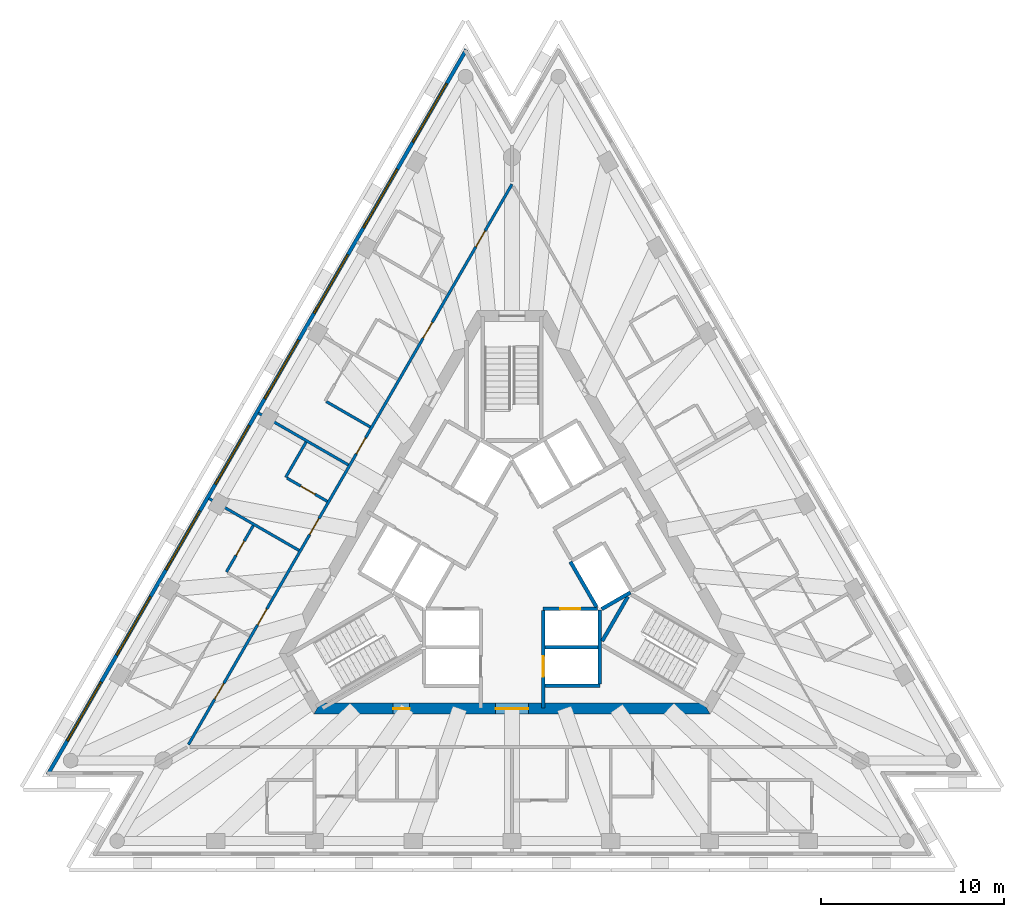
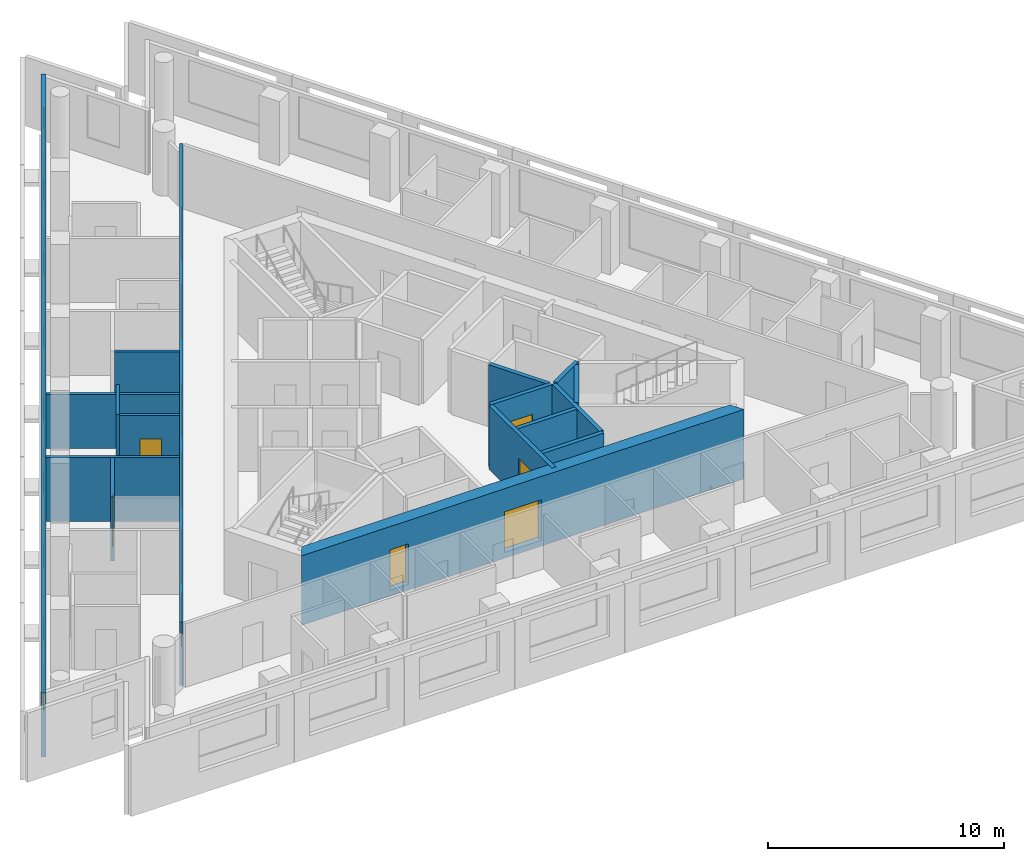
# One storey, part 4 of 10: 17 walls, 12 doors, 8 windows, 20 openings.
"""IFC4 building model written with IfcOpenShell, lengths in metres."""

from ifc_helpers import new_model, si_unit, direction, frame, frame_2d, origin, place, context, subcontext, project, spatial, polyline, rectangle, outline, extrude, material, layer, layer_set, layer_usage, type_object, element, fill, save


model = new_model("IFC4")

# Units and contexts
model_context = context("Model", 3, precision=1e-05, world=origin(), true_north=direction((0.0, 1.0)))
body_context = subcontext(model_context, "Body", "Model", "MODEL_VIEW")
ifc_project = project(units=[si_unit("LENGTHUNIT", "METRE"), si_unit("AREAUNIT", "SQUARE_METRE"), si_unit("VOLUMEUNIT", "CUBIC_METRE"), si_unit("PLANEANGLEUNIT", "RADIAN"), si_unit("MASSUNIT", "GRAM", prefix="KILO")], contexts=[model_context])

# Site, building, storey
site_placement = place(None, origin())
site = spatial("IfcSite", under=ifc_project, at=site_placement, CompositionType="ELEMENT")
building_placement = place(site_placement, origin())
building = spatial("IfcBuilding", under=site, at=building_placement, Name="Triada Interchange Tower", CompositionType="ELEMENT")
storey_placement = place(building_placement, frame((0.0, 0.0, 297.10009765625)))
storey = spatial("IfcBuildingStorey", under=building, at=storey_placement, Name="L70", CompositionType="ELEMENT", Elevation=297.10009765625)

# Walls
ifc_material_1 = material(Name="Concrete C30/37", Category="concrete")
ifc_layer_1 = layer(ifc_material_1, 0.199951171875)
ifc_layer_set_1 = layer_set([ifc_layer_1], Name="CORE WALL 200 EI 120")
wall_type_1 = type_object("IfcWallType", Name="CORE WALL 200 EI 120", PredefinedType="SOLIDWALL", material=ifc_layer_set_1)
wall_1_placement = place(storey_placement, frame((1.800048828125, -6.89990234375, 0.0), z_axis=(0.0, 0.0, 1.0), x_axis=(1.0, 0.0, 0.0)))
element("IfcWall", 1, at=wall_1_placement, inside=storey, type_object=wall_type_1, Name="Wall L68 69", PredefinedType="SOLIDWALL", context=body_context, shape_type="SweptSolid", body=[
    extrude(rectangle(XDim=3.0, YDim=0.199951171875, at=frame_2d((1.5, 0.0))), origin(), (0.0, 0.0, 1.0), 3.2998046875),
])
wall_2_placement = place(storey_placement, frame((1.800048828125, -4.800048828125, 0.0), z_axis=(0.0, 0.0, 1.0), x_axis=(1.0, 0.0, 0.0)))
element("IfcWall", 2, at=wall_2_placement, inside=storey, type_object=wall_type_1, Name="Wall L68 73", PredefinedType="SOLIDWALL", context=body_context, shape_type="SweptSolid", body=[
    extrude(rectangle(XDim=2.89990234375, YDim=0.199951171875, at=frame_2d((1.449951171875, 0.0))), origin(), (0.0, 0.0, 1.0), 3.2998046875),
])

# Wall, opening, door
wall_3_placement = place(storey_placement, frame((1.702880859375, -2.699951171875, 0.0), z_axis=(0.0, 0.0, 1.0), x_axis=(1.0, 0.0, 0.0)))
wall_3 = element("IfcWall", 3, at=wall_3_placement, inside=storey, type_object=wall_type_1, Name="Wall L68 76", PredefinedType="SOLIDWALL", context=body_context, shape_type="SweptSolid", body=[
    extrude(rectangle(XDim=2.97314453125, YDim=0.199951171875, at=frame_2d((1.486572265625, 0.0))), origin(), (0.0, 0.0, 1.0), 3.2998046875),
])
opening_1_placement = place(wall_3_placement, frame((0.93603515625, 0.0, 0.0)))
opening_1 = element("IfcOpeningElement", 4, at=opening_1_placement, cuts=wall_3, Name="Opening LD-HR1", PredefinedType="OPENING", context=body_context, shape_type="SweptSolid", body=[
    extrude(rectangle(XDim=1.10009765625, YDim=2.10009765625, at=frame_2d((0.550048828125, 1.050048828125))), frame((0.0, 0.10986328125, 0.0), z_axis=(0.0, -1.0, 0.0), x_axis=(1.0, 0.0, 0.0)), (0.0, 0.0, 1.0), 0.219970703125),
])
ifc_material_2 = material(Name="Steel S235 door leaf", Category="steel")
door_type_1 = type_object("IfcDoorType", Name="LIFT LANDING DOOR 1100 EI 120", OperationType="SLIDING_TO_LEFT", PredefinedType="DOOR", material=ifc_material_2)
door_1_placement = place(opening_1_placement, origin())
door_1 = element("IfcDoor", 5, at=door_1_placement, inside=storey, type_object=door_type_1, Name="HR1 landing door L70", OperationType="SLIDING_TO_LEFT", OverallHeight=2.10009765625, OverallWidth=1.10009765625, PredefinedType="DOOR", context=body_context, shape_type="SweptSolid", body=[
    extrude(rectangle(XDim=1.10009765625, YDim=2.10009765625, at=frame_2d((0.550048828125, 1.050048828125))), frame((0.0, 0.02490234375, 0.0), z_axis=(0.0, -1.0, 0.0), x_axis=(1.0, 0.0, 0.0)), (0.0, 0.0, 1.0), 0.050048828125),
])
fill(opening_1, door_1)

# Wall
wall_4_placement = place(storey_placement, frame((3.18994140625, -0.125, 0.0), z_axis=(0.0, 0.0, 1.0), x_axis=(0.499988658015, -0.866031951983, 0.0)))
element("IfcWall", 6, at=wall_4_placement, inside=storey, type_object=wall_type_1, Name="Wall L68 79", PredefinedType="SOLIDWALL", context=body_context, shape_type="SweptSolid", body=[
    extrude(rectangle(XDim=2.85791015625, YDim=0.199951171875, at=frame_2d((1.428955078125, 0.0))), origin(), (0.0, 0.0, 1.0), 3.2998046875),
])

# Wall, opening, door
wall_5_placement = place(storey_placement, frame((1.699951171875, -8.1298828125, 0.0), z_axis=(0.0, 0.0, 1.0), x_axis=(0.0, 1.0, 0.0)))
wall_5 = element("IfcWall", 7, at=wall_5_placement, inside=storey, type_object=wall_type_1, Name="Wall L68 81", PredefinedType="SOLIDWALL", context=body_context, shape_type="SweptSolid", body=[
    extrude(rectangle(XDim=5.326904296875, YDim=0.199951171875, at=frame_2d((2.66357421875, 0.0))), origin(), (0.0, 0.0, 1.0), 3.2998046875),
])
opening_2_placement = place(wall_5_placement, frame((1.72998046875, 0.0, 0.0)))
opening_2 = element("IfcOpeningElement", 8, at=opening_2_placement, cuts=wall_5, Name="Opening LD-HR2", PredefinedType="OPENING", context=body_context, shape_type="SweptSolid", body=[
    extrude(rectangle(XDim=1.10009765625, YDim=2.10009765625, at=frame_2d((0.550048828125, 1.050048828125))), frame((0.0, 0.10986328125, 0.0), z_axis=(0.0, -1.0, 0.0), x_axis=(1.0, 0.0, 0.0)), (0.0, 0.0, 1.0), 0.219970703125),
])
door_2_placement = place(opening_2_placement, origin())
door_2 = element("IfcDoor", 9, at=door_2_placement, inside=storey, type_object=door_type_1, Name="HR2 landing door L70", OperationType="SLIDING_TO_LEFT", OverallHeight=2.10009765625, OverallWidth=1.10009765625, PredefinedType="DOOR", context=body_context, shape_type="SweptSolid", body=[
    extrude(rectangle(XDim=1.10009765625, YDim=2.10009765625, at=frame_2d((0.550048828125, 1.050048828125))), frame((0.0, 0.02490234375, 0.0), z_axis=(0.0, -1.0, 0.0), x_axis=(1.0, 0.0, 0.0)), (0.0, 0.0, 1.0), 0.050048828125),
])
fill(opening_2, door_2)

# Walls
wall_6_placement = place(storey_placement, frame((4.800048828125, -6.800048828125, 0.0), z_axis=(0.0, 0.0, 1.0), x_axis=(0.0, 1.0, 0.0)))
element("IfcWall", 10, at=wall_6_placement, inside=storey, type_object=wall_type_1, Name="Wall L68 82", PredefinedType="SOLIDWALL", context=body_context, shape_type="SweptSolid", body=[
    extrude(rectangle(XDim=4.029052734375, YDim=0.199951171875, at=frame_2d((2.0146484375, 0.0))), origin(), (0.0, 0.0, 1.0), 3.2998046875),
])
wall_7_placement = place(storey_placement, frame((4.89990234375, -2.714111328125, 0.0), z_axis=(0.0, 0.0, 1.0), x_axis=(0.865846928409, 0.500309001083, 0.0)))
element("IfcWall", 11, at=wall_7_placement, inside=storey, type_object=wall_type_1, Name="Wall L68 91", PredefinedType="SOLIDWALL", context=body_context, shape_type="SweptSolid", body=[
    extrude(rectangle(XDim=1.813232421875, YDim=0.199951171875, at=frame_2d((0.90673828125, 0.0))), origin(), (0.0, 0.0, 1.0), 3.2998046875),
])
ifc_layer_2 = layer(ifc_material_1, 0.199951171875)
ifc_layer_set_2 = layer_set([ifc_layer_2], Name="CORE WALL 200 REI 240")
wall_type_2 = type_object("IfcWallType", Name="CORE WALL 200 REI 240", PredefinedType="SOLIDWALL", material=ifc_layer_set_2)
wall_8_placement = place(storey_placement, frame((4.928955078125, -4.4619140625, 0.0), z_axis=(0.0, 0.0, 1.0), x_axis=(0.500200581029, 0.865909567298, 0.0)))
element("IfcWall", 12, at=wall_8_placement, inside=storey, type_object=wall_type_2, Name="Wall L68 119", PredefinedType="SOLIDWALL", context=body_context, shape_type="SweptSolid", body=[
    extrude(rectangle(XDim=2.799072265625, YDim=0.199951171875, at=frame_2d((1.3994140625, 0.0))), origin(), (0.0, 0.0, 1.0), 3.2998046875),
])

# Wall, openings, doors
ifc_material_3 = material(Name="Concrete C40/50", Category="concrete")
ifc_layer_3 = layer(ifc_material_3, 0.60009765625)
ifc_layer_set_3 = layer_set([ifc_layer_3], Name="Core wall D 600")
wall_type_3 = type_object("IfcWallType", Name="Core wall D 600", PredefinedType="SHEAR", material=ifc_layer_set_3)
wall_9_placement = place(storey_placement, frame((-10.652099609375, -8.14990234375, -0.300048828125), z_axis=(0.0, 0.0, 1.0), x_axis=(1.0, 0.0, 0.0)))
wall_9 = element("IfcWall", 13, at=wall_9_placement, inside=storey, type_object=wall_type_3, Name="Core wall WD04 L70", PredefinedType="SHEAR", context=body_context, shape_type="SweptSolid", body=[
    extrude(outline(polyline([(-0.173095703125, -0.300048828125), (1.795166015625, -0.300048828125), (3.76318359375, -0.300048828125), (5.7314453125, -0.300048828125), (7.69970703125, -0.300048828125), (9.66796875, -0.300048828125), (11.635986328125, -0.300048828125), (13.604248046875, -0.300048828125), (15.572509765625, -0.300048828125), (17.540771484375, -0.300048828125), (19.5087890625, -0.300048828125), (21.47705078125, -0.300048828125), (21.131103515625, 0.300048828125), (19.225830078125, 0.300048828125), (17.320556640625, 0.300048828125), (15.415283203125, 0.300048828125), (13.510009765625, 0.300048828125), (11.604736328125, 0.300048828125), (9.699462890625, 0.300048828125), (7.794189453125, 0.300048828125), (5.888916015625, 0.300048828125), (3.983642578125, 0.300048828125), (2.078369140625, 0.300048828125), (0.173095703125, 0.300048828125), (-0.173095703125, -0.300048828125)])), origin(), (0.0, 0.0, 1.0), 3.599853515625),
])
opening_3_placement = place(wall_9_placement, frame((9.751953125, 0.0, 0.300048828125)))
opening_3 = element("IfcOpeningElement", 14, at=opening_3_placement, cuts=wall_9, Name="Opening D68-47", PredefinedType="OPENING", context=body_context, shape_type="SweptSolid", body=[
    extrude(rectangle(XDim=1.800048828125, YDim=2.10009765625, at=frame_2d((0.89990234375, 1.050048828125))), frame((0.0, 0.31005859375, 0.0), z_axis=(0.0, -1.0, 0.0), x_axis=(1.0, 0.0, 0.0)), (0.0, 0.0, 1.0), 0.6201171875),
])
opening_4_placement = place(wall_9_placement, frame((4.156005859375, 0.0, 0.300048828125)))
opening_4 = element("IfcOpeningElement", 15, at=opening_4_placement, cuts=wall_9, Name="Opening D68-53", PredefinedType="OPENING", context=body_context, shape_type="SweptSolid", body=[
    extrude(rectangle(XDim=0.89990234375, YDim=2.10009765625, at=frame_2d((0.449951171875, 1.050048828125))), frame((0.0, 0.31005859375, 0.0), z_axis=(0.0, -1.0, 0.0), x_axis=(1.0, 0.0, 0.0)), (0.0, 0.0, 1.0), 0.6201171875),
])
door_type_2 = type_object("IfcDoorType", Name="LOBBY DOOR 1800 EI2 90-C5S200", OperationType="DOUBLE_DOOR_SINGLE_SWING", PredefinedType="DOOR", material=ifc_material_2)
door_3_placement = place(opening_3_placement, origin())
door_3 = element("IfcDoor", 16, at=door_3_placement, inside=storey, type_object=door_type_2, Name="Door D68-47 L70", OperationType="DOUBLE_DOOR_SINGLE_SWING", OverallHeight=2.10009765625, OverallWidth=1.800048828125, PredefinedType="DOOR", context=body_context, shape_type="SweptSolid", body=[
    extrude(rectangle(XDim=1.800048828125, YDim=2.10009765625, at=frame_2d((0.89990234375, 1.050048828125))), frame((0.0, 0.02490234375, 0.0), z_axis=(0.0, -1.0, 0.0), x_axis=(1.0, 0.0, 0.0)), (0.0, 0.0, 1.0), 0.050048828125),
])
fill(opening_3, door_3)
door_type_3 = type_object("IfcDoorType", Name="SERVICE DOOR 900 EI2 45-C5S200", OperationType="NOTDEFINED", PredefinedType="DOOR", material=ifc_material_2)
door_4_placement = place(opening_4_placement, origin())
door_4 = element("IfcDoor", 17, at=door_4_placement, inside=storey, type_object=door_type_3, Name="Door D68-53 L70", OperationType="SINGLE_SWING_RIGHT", OverallHeight=2.10009765625, OverallWidth=0.89990234375, PredefinedType="DOOR", context=body_context, shape_type="SweptSolid", body=[
    extrude(rectangle(XDim=0.89990234375, YDim=2.10009765625, at=frame_2d((0.449951171875, 1.050048828125))), frame((0.0, 0.02490234375, 0.0), z_axis=(0.0, -1.0, 0.0), x_axis=(1.0, 0.0, 0.0)), (0.0, 0.0, 1.0), 0.050048828125),
])
fill(opening_4, door_4)

# Wall, openings, windows
ifc_material_4 = material(Name="Cement board")
ifc_layer_4 = layer(ifc_material_4, 0.02001953125, Name="Cement board cladding")
ifc_material_5 = material(Name="Sheathing board")
ifc_layer_5 = layer(ifc_material_5, 0.014892578125, Name="Sheathing board")
ifc_material_6 = material(Name="Mineral wool")
ifc_layer_6 = layer(ifc_material_6, 0.14990234375, Name="Mineral wool between steel studs")
ifc_material_7 = material(Name="Gypsum board")
ifc_layer_7 = layer(ifc_material_7, 0.014892578125, Name="Plasterboard lining")
ifc_layer_set_4 = layer_set([ifc_layer_4, ifc_layer_5, ifc_layer_6, ifc_layer_7], Name="External wall 200")
ifc_layer_usage = layer_usage(ifc_layer_set_4, "AXIS2", "POSITIVE", -0.10009765625)
wall_type_4 = type_object("IfcWallType", Name="External wall 200", PredefinedType="ELEMENTEDWALL", material=ifc_layer_set_4)
wall_10_placement = place(storey_placement, frame((-2.493896484375, 27.860107421875, 0.0), z_axis=(0.0, 0.0, 1.0), x_axis=(-0.500008134474, -0.866020707292, 0.0)))
wall_10 = element("IfcWall", 18, at=wall_10_placement, inside=storey, type_object=wall_type_4, material=ifc_layer_usage, Name="External wall L70 NW", PredefinedType="ELEMENTEDWALL", context=body_context, shape_type="SweptSolid", body=[
    extrude(rectangle(XDim=45.741455078125, YDim=0.199951171875, at=frame_2d((22.87060546875, 0.0))), origin(), (0.0, 0.0, 1.0), 3.2998046875),
])
opening_5_placement = place(wall_10_placement, frame((2.14990234375, 0.0, 0.89990234375)))
opening_5 = element("IfcOpeningElement", 19, at=opening_5_placement, cuts=wall_10, Name="Opening WD01", PredefinedType="OPENING", context=body_context, shape_type="SweptSolid", body=[
    extrude(rectangle(XDim=3.699951171875, YDim=2.199951171875, at=frame_2d((1.85009765625, 1.10009765625))), frame((0.0, 0.10986328125, 0.0), z_axis=(0.0, -1.0, 0.0), x_axis=(1.0, 0.0, 0.0)), (0.0, 0.0, 1.0), 0.219970703125),
])
opening_6_placement = place(wall_10_placement, frame((7.5439453125, 0.0, 0.89990234375)))
opening_6 = element("IfcOpeningElement", 20, at=opening_6_placement, cuts=wall_10, Name="Opening WD02", PredefinedType="OPENING", context=body_context, shape_type="SweptSolid", body=[
    extrude(rectangle(XDim=3.699951171875, YDim=2.199951171875, at=frame_2d((1.85009765625, 1.10009765625))), frame((0.0, 0.10986328125, 0.0), z_axis=(0.0, -1.0, 0.0), x_axis=(1.0, 0.0, 0.0)), (0.0, 0.0, 1.0), 0.219970703125),
])
opening_7_placement = place(wall_10_placement, frame((12.93896484375, 0.0, 0.89990234375)))
opening_7 = element("IfcOpeningElement", 21, at=opening_7_placement, cuts=wall_10, Name="Opening WD03", PredefinedType="OPENING", context=body_context, shape_type="SweptSolid", body=[
    extrude(rectangle(XDim=3.699951171875, YDim=2.199951171875, at=frame_2d((1.85009765625, 1.10009765625))), frame((0.0, 0.10986328125, 0.0), z_axis=(0.0, -1.0, 0.0), x_axis=(1.0, 0.0, 0.0)), (0.0, 0.0, 1.0), 0.219970703125),
])
opening_8_placement = place(wall_10_placement, frame((18.3330078125, 0.0, 0.89990234375)))
opening_8 = element("IfcOpeningElement", 22, at=opening_8_placement, cuts=wall_10, Name="Opening WD04", PredefinedType="OPENING", context=body_context, shape_type="SweptSolid", body=[
    extrude(rectangle(XDim=3.699951171875, YDim=2.199951171875, at=frame_2d((1.85009765625, 1.10009765625))), frame((0.0, 0.10986328125, 0.0), z_axis=(0.0, -1.0, 0.0), x_axis=(1.0, 0.0, 0.0)), (0.0, 0.0, 1.0), 0.219970703125),
])
opening_9_placement = place(wall_10_placement, frame((23.72802734375, 0.0, 0.89990234375)))
opening_9 = element("IfcOpeningElement", 23, at=opening_9_placement, cuts=wall_10, Name="Opening WD05", PredefinedType="OPENING", context=body_context, shape_type="SweptSolid", body=[
    extrude(rectangle(XDim=3.699951171875, YDim=2.199951171875, at=frame_2d((1.85009765625, 1.10009765625))), frame((0.0, 0.10986328125, 0.0), z_axis=(0.0, -1.0, 0.0), x_axis=(1.0, 0.0, 0.0)), (0.0, 0.0, 1.0), 0.219970703125),
])
opening_10_placement = place(wall_10_placement, frame((29.1220703125, 0.0, 0.89990234375)))
opening_10 = element("IfcOpeningElement", 24, at=opening_10_placement, cuts=wall_10, Name="Opening WD06", PredefinedType="OPENING", context=body_context, shape_type="SweptSolid", body=[
    extrude(rectangle(XDim=3.699951171875, YDim=2.199951171875, at=frame_2d((1.85009765625, 1.10009765625))), frame((0.0, 0.10986328125, 0.0), z_axis=(0.0, -1.0, 0.0), x_axis=(1.0, 0.0, 0.0)), (0.0, 0.0, 1.0), 0.219970703125),
])
opening_11_placement = place(wall_10_placement, frame((34.51708984375, 0.0, 0.89990234375)))
opening_11 = element("IfcOpeningElement", 25, at=opening_11_placement, cuts=wall_10, Name="Opening WD07", PredefinedType="OPENING", context=body_context, shape_type="SweptSolid", body=[
    extrude(rectangle(XDim=3.699951171875, YDim=2.199951171875, at=frame_2d((1.85009765625, 1.10009765625))), frame((0.0, 0.10986328125, 0.0), z_axis=(0.0, -1.0, 0.0), x_axis=(1.0, 0.0, 0.0)), (0.0, 0.0, 1.0), 0.219970703125),
])
opening_12_placement = place(wall_10_placement, frame((39.910888671875, 0.0, 0.89990234375)))
opening_12 = element("IfcOpeningElement", 26, at=opening_12_placement, cuts=wall_10, Name="Opening WD08", PredefinedType="OPENING", context=body_context, shape_type="SweptSolid", body=[
    extrude(rectangle(XDim=3.699951171875, YDim=2.199951171875, at=frame_2d((1.85009765625, 1.10009765625))), frame((0.0, 0.10986328125, 0.0), z_axis=(0.0, -1.0, 0.0), x_axis=(1.0, 0.0, 0.0)), (0.0, 0.0, 1.0), 0.219970703125),
])
ifc_material_8 = material(Name="Double glazed aluminium window", Category="aluminium")
window_type = type_object("IfcWindowType", Name="Ribbon window D face", PartitioningType="SINGLE_PANEL", PredefinedType="WINDOW", material=ifc_material_8)
window_1_placement = place(opening_5_placement, origin())
window_1 = element("IfcWindow", 27, at=window_1_placement, inside=storey, type_object=window_type, Name="Window L70 NW 1", OverallHeight=2.199951171875, OverallWidth=3.699951171875, PartitioningType="SINGLE_PANEL", PredefinedType="WINDOW", context=body_context, shape_type="SweptSolid", body=[
    extrude(rectangle(XDim=3.699951171875, YDim=2.199951171875, at=frame_2d((1.85009765625, 1.10009765625))), frame((0.0, 0.030029296875, 0.0), z_axis=(0.0, -1.0, 0.0), x_axis=(1.0, 0.0, 0.0)), (0.0, 0.0, 1.0), 0.06005859375),
])
fill(opening_5, window_1)
window_2_placement = place(opening_6_placement, origin())
window_2 = element("IfcWindow", 28, at=window_2_placement, inside=storey, type_object=window_type, Name="Window L70 NW 2", OverallHeight=2.199951171875, OverallWidth=3.699951171875, PartitioningType="SINGLE_PANEL", PredefinedType="WINDOW", context=body_context, shape_type="SweptSolid", body=[
    extrude(rectangle(XDim=3.699951171875, YDim=2.199951171875, at=frame_2d((1.85009765625, 1.10009765625))), frame((0.0, 0.030029296875, 0.0), z_axis=(0.0, -1.0, 0.0), x_axis=(1.0, 0.0, 0.0)), (0.0, 0.0, 1.0), 0.06005859375),
])
fill(opening_6, window_2)
window_3_placement = place(opening_7_placement, origin())
window_3 = element("IfcWindow", 29, at=window_3_placement, inside=storey, type_object=window_type, Name="Window L70 NW 3", OverallHeight=2.199951171875, OverallWidth=3.699951171875, PartitioningType="SINGLE_PANEL", PredefinedType="WINDOW", context=body_context, shape_type="SweptSolid", body=[
    extrude(rectangle(XDim=3.699951171875, YDim=2.199951171875, at=frame_2d((1.85009765625, 1.10009765625))), frame((0.0, 0.030029296875, 0.0), z_axis=(0.0, -1.0, 0.0), x_axis=(1.0, 0.0, 0.0)), (0.0, 0.0, 1.0), 0.06005859375),
])
fill(opening_7, window_3)
window_4_placement = place(opening_8_placement, origin())
window_4 = element("IfcWindow", 30, at=window_4_placement, inside=storey, type_object=window_type, Name="Window L70 NW 4", OverallHeight=2.199951171875, OverallWidth=3.699951171875, PartitioningType="SINGLE_PANEL", PredefinedType="WINDOW", context=body_context, shape_type="SweptSolid", body=[
    extrude(rectangle(XDim=3.699951171875, YDim=2.199951171875, at=frame_2d((1.85009765625, 1.10009765625))), frame((0.0, 0.030029296875, 0.0), z_axis=(0.0, -1.0, 0.0), x_axis=(1.0, 0.0, 0.0)), (0.0, 0.0, 1.0), 0.06005859375),
])
fill(opening_8, window_4)
window_5_placement = place(opening_9_placement, origin())
window_5 = element("IfcWindow", 31, at=window_5_placement, inside=storey, type_object=window_type, Name="Window L70 NW 5", OverallHeight=2.199951171875, OverallWidth=3.699951171875, PartitioningType="SINGLE_PANEL", PredefinedType="WINDOW", context=body_context, shape_type="SweptSolid", body=[
    extrude(rectangle(XDim=3.699951171875, YDim=2.199951171875, at=frame_2d((1.85009765625, 1.10009765625))), frame((0.0, 0.030029296875, 0.0), z_axis=(0.0, -1.0, 0.0), x_axis=(1.0, 0.0, 0.0)), (0.0, 0.0, 1.0), 0.06005859375),
])
fill(opening_9, window_5)
window_6_placement = place(opening_10_placement, origin())
window_6 = element("IfcWindow", 32, at=window_6_placement, inside=storey, type_object=window_type, Name="Window L70 NW 6", OverallHeight=2.199951171875, OverallWidth=3.699951171875, PartitioningType="SINGLE_PANEL", PredefinedType="WINDOW", context=body_context, shape_type="SweptSolid", body=[
    extrude(rectangle(XDim=3.699951171875, YDim=2.199951171875, at=frame_2d((1.85009765625, 1.10009765625))), frame((0.0, 0.030029296875, 0.0), z_axis=(0.0, -1.0, 0.0), x_axis=(1.0, 0.0, 0.0)), (0.0, 0.0, 1.0), 0.06005859375),
])
fill(opening_10, window_6)
window_7_placement = place(opening_11_placement, origin())
window_7 = element("IfcWindow", 33, at=window_7_placement, inside=storey, type_object=window_type, Name="Window L70 NW 7", OverallHeight=2.199951171875, OverallWidth=3.699951171875, PartitioningType="SINGLE_PANEL", PredefinedType="WINDOW", context=body_context, shape_type="SweptSolid", body=[
    extrude(rectangle(XDim=3.699951171875, YDim=2.199951171875, at=frame_2d((1.85009765625, 1.10009765625))), frame((0.0, 0.030029296875, 0.0), z_axis=(0.0, -1.0, 0.0), x_axis=(1.0, 0.0, 0.0)), (0.0, 0.0, 1.0), 0.06005859375),
])
fill(opening_11, window_7)
window_8_placement = place(opening_12_placement, origin())
window_8 = element("IfcWindow", 34, at=window_8_placement, inside=storey, type_object=window_type, Name="Window L70 NW 8", OverallHeight=2.199951171875, OverallWidth=3.699951171875, PartitioningType="SINGLE_PANEL", PredefinedType="WINDOW", context=body_context, shape_type="SweptSolid", body=[
    extrude(rectangle(XDim=3.699951171875, YDim=2.199951171875, at=frame_2d((1.85009765625, 1.10009765625))), frame((0.0, 0.030029296875, 0.0), z_axis=(0.0, -1.0, 0.0), x_axis=(1.0, 0.0, 0.0)), (0.0, 0.0, 1.0), 0.06005859375),
])
fill(opening_12, window_8)

# Wall, openings, doors
ifc_material_9 = material(Name="Gypsum board partition")
ifc_layer_8 = layer(ifc_material_9, 0.14990234375)
ifc_layer_set_5 = layer_set([ifc_layer_8], Name="PARTITION 150 EI 180")
wall_type_5 = type_object("IfcWallType", Name="PARTITION 150 EI 180", PredefinedType="PARTITIONING", material=ifc_layer_set_5)
wall_11_placement = place(storey_placement, frame((-17.678955078125, -10.1201171875, 0.0), z_axis=(0.0, 0.0, 1.0), x_axis=(0.500008955215, 0.866020233427, 0.0)))
wall_11 = element("IfcWall", 35, at=wall_11_placement, inside=storey, type_object=wall_type_5, Name="Wall L68 5", PredefinedType="PARTITIONING", context=body_context, shape_type="SweptSolid", body=[
    extrude(rectangle(XDim=35.357177734375, YDim=0.14990234375, at=frame_2d((17.6787109375, 0.0))), origin(), (0.0, 0.0, 1.0), 3.2998046875),
])
opening_13_placement = place(wall_11_placement, frame((31.406982421875, 0.0, 0.0)))
opening_13 = element("IfcOpeningElement", 36, at=opening_13_placement, cuts=wall_11, Name="Opening D68-34", PredefinedType="OPENING", context=body_context, shape_type="SweptSolid", body=[
    extrude(rectangle(XDim=1.0, YDim=2.10009765625, at=frame_2d((0.5, 1.050048828125))), frame((0.0, 0.0849609375, 0.0), z_axis=(0.0, -1.0, 0.0), x_axis=(1.0, 0.0, 0.0)), (0.0, 0.0, 1.0), 0.169921875),
])
opening_14_placement = place(wall_11_placement, frame((25.64208984375, 0.0, 0.0)))
opening_14 = element("IfcOpeningElement", 37, at=opening_14_placement, cuts=wall_11, Name="Opening D68-36", PredefinedType="OPENING", context=body_context, shape_type="SweptSolid", body=[
    extrude(rectangle(XDim=1.0, YDim=2.10009765625, at=frame_2d((0.5, 1.050048828125))), frame((0.0, 0.0849609375, 0.0), z_axis=(0.0, -1.0, 0.0), x_axis=(1.0, 0.0, 0.0)), (0.0, 0.0, 1.0), 0.169921875),
])
opening_15_placement = place(wall_11_placement, frame((18.347900390625, 0.0, 0.0)))
opening_15 = element("IfcOpeningElement", 38, at=opening_15_placement, cuts=wall_11, Name="Opening D68-38", PredefinedType="OPENING", context=body_context, shape_type="SweptSolid", body=[
    extrude(rectangle(XDim=1.0, YDim=2.10009765625, at=frame_2d((0.5, 1.050048828125))), frame((0.0, 0.0849609375, 0.0), z_axis=(0.0, -1.0, 0.0), x_axis=(1.0, 0.0, 0.0)), (0.0, 0.0, 1.0), 0.169921875),
])
opening_16_placement = place(wall_11_placement, frame((13.25390625, 0.0, 0.0)))
opening_16 = element("IfcOpeningElement", 39, at=opening_16_placement, cuts=wall_11, Name="Opening D68-40", PredefinedType="OPENING", context=body_context, shape_type="SweptSolid", body=[
    extrude(rectangle(XDim=1.0, YDim=2.10009765625, at=frame_2d((0.5, 1.050048828125))), frame((0.0, 0.0849609375, 0.0), z_axis=(0.0, -1.0, 0.0), x_axis=(1.0, 0.0, 0.0)), (0.0, 0.0, 1.0), 0.169921875),
])
opening_17_placement = place(wall_11_placement, frame((7.55908203125, 0.0, 0.0)))
opening_17 = element("IfcOpeningElement", 40, at=opening_17_placement, cuts=wall_11, Name="Opening D68-42", PredefinedType="OPENING", context=body_context, shape_type="SweptSolid", body=[
    extrude(rectangle(XDim=1.0, YDim=2.10009765625, at=frame_2d((0.5, 1.050048828125))), frame((0.0, 0.0849609375, 0.0), z_axis=(0.0, -1.0, 0.0), x_axis=(1.0, 0.0, 0.0)), (0.0, 0.0, 1.0), 0.169921875),
])
opening_18_placement = place(wall_11_placement, frame((2.864990234375, 0.0, 0.0)))
opening_18 = element("IfcOpeningElement", 41, at=opening_18_placement, cuts=wall_11, Name="Opening D68-44", PredefinedType="OPENING", context=body_context, shape_type="SweptSolid", body=[
    extrude(rectangle(XDim=1.0, YDim=2.10009765625, at=frame_2d((0.5, 1.050048828125))), frame((0.0, 0.0849609375, 0.0), z_axis=(0.0, -1.0, 0.0), x_axis=(1.0, 0.0, 0.0)), (0.0, 0.0, 1.0), 0.169921875),
])
door_type_4 = type_object("IfcDoorType", Name="GUEST ROOM DOOR 1000 EI2 90-C5S200", OperationType="NOTDEFINED", PredefinedType="DOOR", material=ifc_material_2)
door_5_placement = place(opening_13_placement, origin())
door_5 = element("IfcDoor", 42, at=door_5_placement, inside=storey, type_object=door_type_4, Name="Door D68-34 L70", OperationType="SINGLE_SWING_RIGHT", OverallHeight=2.10009765625, OverallWidth=1.0, PredefinedType="DOOR", context=body_context, shape_type="SweptSolid", body=[
    extrude(rectangle(XDim=1.0, YDim=2.10009765625, at=frame_2d((0.5, 1.050048828125))), frame((0.0, 0.02490234375, 0.0), z_axis=(0.0, -1.0, 0.0), x_axis=(1.0, 0.0, 0.0)), (0.0, 0.0, 1.0), 0.050048828125),
])
fill(opening_13, door_5)
door_6_placement = place(opening_14_placement, origin())
door_6 = element("IfcDoor", 43, at=door_6_placement, inside=storey, type_object=door_type_4, Name="Door D68-36 L70", OperationType="SINGLE_SWING_RIGHT", OverallHeight=2.10009765625, OverallWidth=1.0, PredefinedType="DOOR", context=body_context, shape_type="SweptSolid", body=[
    extrude(rectangle(XDim=1.0, YDim=2.10009765625, at=frame_2d((0.5, 1.050048828125))), frame((0.0, 0.02490234375, 0.0), z_axis=(0.0, -1.0, 0.0), x_axis=(1.0, 0.0, 0.0)), (0.0, 0.0, 1.0), 0.050048828125),
])
fill(opening_14, door_6)
door_7_placement = place(opening_15_placement, origin())
door_7 = element("IfcDoor", 44, at=door_7_placement, inside=storey, type_object=door_type_4, Name="Door D68-38 L70", OperationType="SINGLE_SWING_LEFT", OverallHeight=2.10009765625, OverallWidth=1.0, PredefinedType="DOOR", context=body_context, shape_type="SweptSolid", body=[
    extrude(rectangle(XDim=1.0, YDim=2.10009765625, at=frame_2d((0.5, 1.050048828125))), frame((0.0, 0.02490234375, 0.0), z_axis=(0.0, -1.0, 0.0), x_axis=(1.0, 0.0, 0.0)), (0.0, 0.0, 1.0), 0.050048828125),
])
fill(opening_15, door_7)
door_8_placement = place(opening_16_placement, origin())
door_8 = element("IfcDoor", 45, at=door_8_placement, inside=storey, type_object=door_type_4, Name="Door D68-40 L70", OperationType="SINGLE_SWING_RIGHT", OverallHeight=2.10009765625, OverallWidth=1.0, PredefinedType="DOOR", context=body_context, shape_type="SweptSolid", body=[
    extrude(rectangle(XDim=1.0, YDim=2.10009765625, at=frame_2d((0.5, 1.050048828125))), frame((0.0, 0.02490234375, 0.0), z_axis=(0.0, -1.0, 0.0), x_axis=(1.0, 0.0, 0.0)), (0.0, 0.0, 1.0), 0.050048828125),
])
fill(opening_16, door_8)
door_9_placement = place(opening_17_placement, origin())
door_9 = element("IfcDoor", 46, at=door_9_placement, inside=storey, type_object=door_type_4, Name="Door D68-42 L70", OperationType="SINGLE_SWING_LEFT", OverallHeight=2.10009765625, OverallWidth=1.0, PredefinedType="DOOR", context=body_context, shape_type="SweptSolid", body=[
    extrude(rectangle(XDim=1.0, YDim=2.10009765625, at=frame_2d((0.5, 1.050048828125))), frame((0.0, 0.02490234375, 0.0), z_axis=(0.0, -1.0, 0.0), x_axis=(1.0, 0.0, 0.0)), (0.0, 0.0, 1.0), 0.050048828125),
])
fill(opening_17, door_9)
door_10_placement = place(opening_18_placement, origin())
door_10 = element("IfcDoor", 47, at=door_10_placement, inside=storey, type_object=door_type_4, Name="Door D68-44 L70", OperationType="SINGLE_SWING_LEFT", OverallHeight=2.10009765625, OverallWidth=1.0, PredefinedType="DOOR", context=body_context, shape_type="SweptSolid", body=[
    extrude(rectangle(XDim=1.0, YDim=2.10009765625, at=frame_2d((0.5, 1.050048828125))), frame((0.0, 0.02490234375, 0.0), z_axis=(0.0, -1.0, 0.0), x_axis=(1.0, 0.0, 0.0)), (0.0, 0.0, 1.0), 0.050048828125),
])
fill(opening_18, door_10)

# Walls
wall_12_placement = place(storey_placement, frame((-16.56201171875, 3.3330078125, 0.0), z_axis=(0.0, 0.0, 1.0), x_axis=(0.866048987239, -0.499959150034, 0.0)))
element("IfcWall", 48, at=wall_12_placement, inside=storey, type_object=wall_type_5, Name="Wall L68 6", PredefinedType="PARTITIONING", context=body_context, shape_type="SweptSolid", body=[
    extrude(rectangle(XDim=5.6845703125, YDim=0.14990234375, at=frame_2d((2.84228515625, 0.0))), origin(), (0.0, 0.0, 1.0), 3.2998046875),
])
wall_13_placement = place(storey_placement, frame((-13.864990234375, 8.0048828125, 0.0), z_axis=(0.0, 0.0, 1.0), x_axis=(0.86606758311, -0.499926936147, 0.0)))
element("IfcWall", 49, at=wall_13_placement, inside=storey, type_object=wall_type_5, Name="Wall L68 7", PredefinedType="PARTITIONING", context=body_context, shape_type="SweptSolid", body=[
    extrude(rectangle(XDim=5.684326171875, YDim=0.14990234375, at=frame_2d((2.84228515625, 0.0))), origin(), (0.0, 0.0, 1.0), 2.7998046875),
])

# Wall, opening, door
ifc_layer_9 = layer(ifc_material_9, 0.14990234375)
ifc_layer_set_6 = layer_set([ifc_layer_9], Name="PARTITION 150 EI 90")
wall_type_6 = type_object("IfcWallType", Name="PARTITION 150 EI 90", PredefinedType="PARTITIONING", material=ifc_layer_set_6)
wall_14_placement = place(storey_placement, frame((-15.60302734375, -0.68505859375, 0.0), z_axis=(0.0, 0.0, 1.0), x_axis=(0.500187211558, 0.865917290158, 0.0)))
wall_14 = element("IfcWall", 50, at=wall_14_placement, inside=storey, type_object=wall_type_6, Name="Wall L68 35", PredefinedType="PARTITIONING", context=body_context, shape_type="SweptSolid", body=[
    extrude(rectangle(XDim=2.92529296875, YDim=0.14990234375, at=frame_2d((1.462646484375, 0.0))), origin(), (0.0, 0.0, 1.0), 3.2998046875),
])
opening_19_placement = place(wall_14_placement, frame((1.050048828125, 0.0, 0.0)))
opening_19 = element("IfcOpeningElement", 51, at=opening_19_placement, cuts=wall_14, Name="Opening D68-43", PredefinedType="OPENING", context=body_context, shape_type="SweptSolid", body=[
    extrude(rectangle(XDim=0.89990234375, YDim=2.10009765625, at=frame_2d((0.449951171875, 1.050048828125))), frame((0.0, 0.0849609375, 0.0), z_axis=(0.0, -1.0, 0.0), x_axis=(1.0, 0.0, 0.0)), (0.0, 0.0, 1.0), 0.169921875),
])
door_type_5 = type_object("IfcDoorType", Name="ROOM DOOR 900 EI2 45-C5S200", OperationType="NOTDEFINED", PredefinedType="DOOR", material=ifc_material_2)
door_11_placement = place(opening_19_placement, origin())
door_11 = element("IfcDoor", 52, at=door_11_placement, inside=storey, type_object=door_type_5, Name="Door D68-43 L70", OperationType="SINGLE_SWING_LEFT", OverallHeight=2.10009765625, OverallWidth=0.89990234375, PredefinedType="DOOR", context=body_context, shape_type="SweptSolid", body=[
    extrude(rectangle(XDim=0.89990234375, YDim=2.10009765625, at=frame_2d((0.449951171875, 1.050048828125))), frame((0.0, 0.02490234375, 0.0), z_axis=(0.0, -1.0, 0.0), x_axis=(1.0, 0.0, 0.0)), (0.0, 0.0, 1.0), 0.050048828125),
])
fill(opening_19, door_11)

# Wall
wall_15_placement = place(storey_placement, frame((-12.364990234375, 4.48291015625, 0.0), z_axis=(0.0, 0.0, 1.0), x_axis=(0.500162441854, 0.865931597621, 0.0)))
element("IfcWall", 53, at=wall_15_placement, inside=storey, type_object=wall_type_6, Name="Wall L68 38", PredefinedType="PARTITIONING", context=body_context, shape_type="SweptSolid", body=[
    extrude(rectangle(XDim=2.225341796875, YDim=0.14990234375, at=frame_2d((1.11279296875, 0.0))), origin(), (0.0, 0.0, 1.0), 3.2998046875),
])

# Wall, opening, door
wall_16_placement = place(storey_placement, frame((-12.300048828125, 4.446044921875, 0.0), z_axis=(0.0, 0.0, 1.0), x_axis=(0.865965520905, -0.500103705848, 0.0)))
wall_16 = element("IfcWall", 54, at=wall_16_placement, inside=storey, type_object=wall_type_6, Name="Wall L68 40", PredefinedType="PARTITIONING", context=body_context, shape_type="SweptSolid", body=[
    extrude(rectangle(XDim=2.5498046875, YDim=0.14990234375, at=frame_2d((1.27490234375, 0.0))), origin(), (0.0, 0.0, 1.0), 3.2998046875),
])
opening_20_placement = place(wall_16_placement, frame((0.875, 0.0, 0.0)))
opening_20 = element("IfcOpeningElement", 55, at=opening_20_placement, cuts=wall_16, Name="Opening D68-41", PredefinedType="OPENING", context=body_context, shape_type="SweptSolid", body=[
    extrude(rectangle(XDim=0.89990234375, YDim=2.10009765625, at=frame_2d((0.449951171875, 1.050048828125))), frame((0.0, 0.0849609375, 0.0), z_axis=(0.0, -1.0, 0.0), x_axis=(1.0, 0.0, 0.0)), (0.0, 0.0, 1.0), 0.169921875),
])
door_12_placement = place(opening_20_placement, origin())
door_12 = element("IfcDoor", 56, at=door_12_placement, inside=storey, type_object=door_type_5, Name="Door D68-41 L70", OperationType="SINGLE_SWING_RIGHT", OverallHeight=2.10009765625, OverallWidth=0.89990234375, PredefinedType="DOOR", context=body_context, shape_type="SweptSolid", body=[
    extrude(rectangle(XDim=0.89990234375, YDim=2.10009765625, at=frame_2d((0.449951171875, 1.050048828125))), frame((0.0, 0.02490234375, 0.0), z_axis=(0.0, -1.0, 0.0), x_axis=(1.0, 0.0, 0.0)), (0.0, 0.0, 1.0), 0.050048828125),
])
fill(opening_20, door_12)

# Wall
wall_17_placement = place(storey_placement, frame((-10.14306640625, 8.62109375, 0.0), z_axis=(0.0, 0.0, 1.0), x_axis=(0.866049104564, -0.499958946799, 0.0)))
element("IfcWall", 57, at=wall_17_placement, inside=storey, type_object=wall_type_6, Name="Wall L68 48", PredefinedType="PARTITIONING", context=body_context, shape_type="SweptSolid", body=[
    extrude(rectangle(XDim=2.770263671875, YDim=0.14990234375, at=frame_2d((1.38525390625, 0.0))), origin(), (0.0, 0.0, 1.0), 3.2998046875),
])

save(model, "model.ifc")
